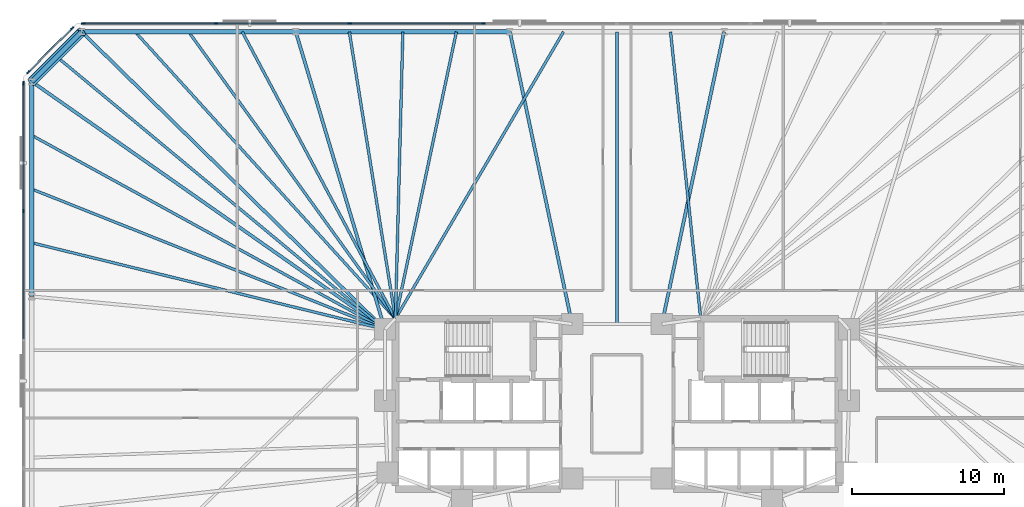
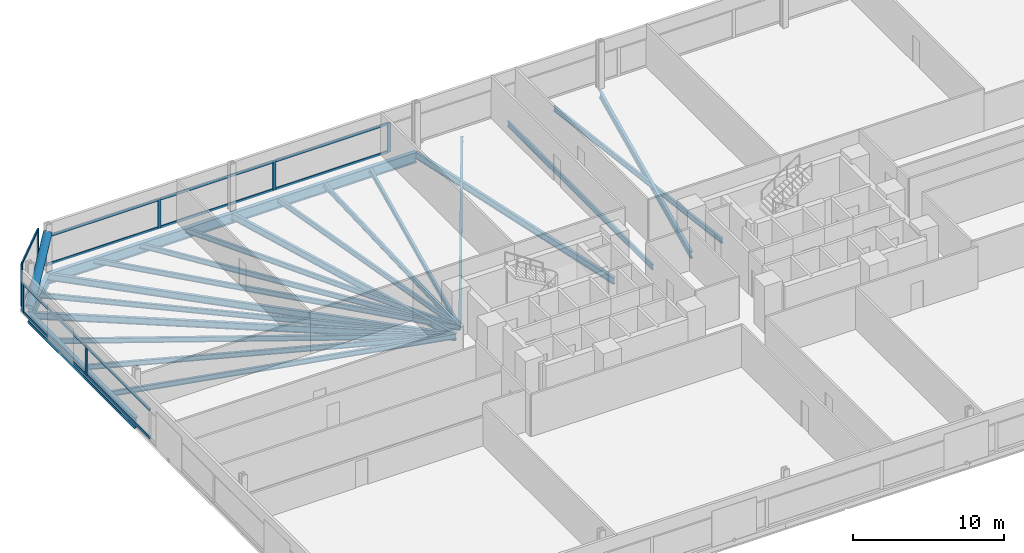
# One storey, part 8 of 17: 22 beams, 21 members, 3 elements without a shape of their own.
"""IFC4 building model written with IfcOpenShell, lengths in metres."""

from ifc_helpers import new_model, si_unit, direction, frame, origin, origin_2d, place, context, subcontext, project, spatial, rectangle, hollow_circle, i_section, extrude, material, material_profile, profile_set, type_object, element, aggregate, save


model = new_model("IFC4")

# Units and contexts
model_context = context("Model", 3, precision=1e-05, world=origin(), true_north=direction((0.0, 1.0)))
body_context = subcontext(model_context, "Body", "Model", "MODEL_VIEW")
ifc_project = project(units=[si_unit("LENGTHUNIT", "METRE"), si_unit("AREAUNIT", "SQUARE_METRE"), si_unit("VOLUMEUNIT", "CUBIC_METRE"), si_unit("PLANEANGLEUNIT", "RADIAN"), si_unit("MASSUNIT", "GRAM", prefix="KILO")], contexts=[model_context])

# Site, building, storey
site_placement = place(None, origin())
site = spatial("IfcSite", under=ifc_project, at=site_placement, CompositionType="ELEMENT")
building_placement = place(site_placement, origin())
building = spatial("IfcBuilding", under=site, at=building_placement, Name="Menara Jurai Vektor", CompositionType="ELEMENT")
storey_placement = place(building_placement, frame((0.0, 0.0, 75.0)))
storey = spatial("IfcBuildingStorey", under=building, at=storey_placement, Name="L18", CompositionType="ELEMENT", Elevation=75.0)

# Curtain wall, members
ifc_material_1 = material(Name="Anodised Pale Aluminium & Low-E Double Glazing", Category="aluminium")
curtain_wall_type = type_object("IfcCurtainWallType", Name="CW-BLK1", PredefinedType="NOTDEFINED", material=ifc_material_1)
curtain_wall_1_placement = place(storey_placement, origin())
curtain_wall_1 = element("IfcCurtainWall", 1, at=curtain_wall_1_placement, inside=storey, type_object=curtain_wall_type, Name="Unitised Curtain Wall L18 F05", PredefinedType="NOTDEFINED")
ifc_material_2 = material(Name="Anodised Pale Aluminium Mullion", Category="aluminium")
ifc_material_profile_1 = material_profile(ifc_material_2, rectangle(XDim=0.094970703125, YDim=0.239990234375, at=origin_2d()), Name="ALU MUL 95x240")
ifc_profile_set_1 = profile_set([ifc_material_profile_1], Name="Anodised Pale Aluminium Mullion")
member_type_1 = type_object("IfcMemberType", Name="CW-BLK1-MUL", PredefinedType="MULLION", material=ifc_profile_set_1)
member_1_placement = place(storey_placement, frame((-8.780029296875, 25.0, 0.0), z_axis=(0.0, 0.0, 1.0), x_axis=(0.0, -1.0, 0.0)))
member_1 = element("IfcMember", 2, at=member_1_placement, type_object=member_type_1, Name="CW-01 mullion 6", PredefinedType="MULLION", context=body_context, shape_type="SweptSolid", body=[
    extrude(rectangle(XDim=0.094970703125, YDim=0.239990234375, at=origin_2d()), origin(), (0.0, 0.0, 1.0), 2.35888671875),
])
member_2_placement = place(storey_placement, frame((-17.56005859375, 25.0, 0.0), z_axis=(0.0, 0.0, 1.0), x_axis=(0.0, -1.0, 0.0)))
member_2 = element("IfcMember", 3, at=member_2_placement, type_object=member_type_1, Name="CW-01 mullion 7", PredefinedType="MULLION", context=body_context, shape_type="SweptSolid", body=[
    extrude(rectangle(XDim=0.094970703125, YDim=0.239990234375, at=origin_2d()), origin(), (0.0, 0.0, 1.0), 2.35888671875),
])
member_3_placement = place(storey_placement, frame((-26.340087890625, 25.0, 0.0), z_axis=(0.0, 0.0, 1.0), x_axis=(0.0, -1.0, 0.0)))
member_3 = element("IfcMember", 4, at=member_3_placement, type_object=member_type_1, Name="CW-01 mullion 8", PredefinedType="MULLION", context=body_context, shape_type="SweptSolid", body=[
    extrude(rectangle(XDim=0.094970703125, YDim=0.239990234375, at=origin_2d()), origin(), (0.0, 0.0, 1.0), 2.35888671875),
])
member_4_placement = place(storey_placement, frame((-35.072509765625, 25.0, 0.0), z_axis=(0.0, 0.0, 1.0), x_axis=(0.0, -1.0, 0.0)))
member_4 = element("IfcMember", 5, at=member_4_placement, type_object=member_type_1, Name="CW-01 mullion 9", PredefinedType="MULLION", context=body_context, shape_type="SweptSolid", body=[
    extrude(rectangle(XDim=0.094970703125, YDim=0.239990234375, at=origin_2d()), origin(), (0.0, 0.0, 1.0), 2.35888671875),
])

curtain_wall_2_placement = place(storey_placement, origin())
curtain_wall_2 = element("IfcCurtainWall", 6, at=curtain_wall_2_placement, inside=storey, type_object=curtain_wall_type, Name="Unitised Curtain Wall L18 F06", PredefinedType="NOTDEFINED")
member_5_placement = place(storey_placement, frame((-35.80224609375, 24.69775390625, 0.0), z_axis=(0.0, 0.0, 1.0), x_axis=(0.707106781187, -0.707106781187, 0.0)))
member_5 = element("IfcMember", 7, at=member_5_placement, type_object=member_type_1, Name="CW-01 mullion 1", PredefinedType="MULLION", context=body_context, shape_type="SweptSolid", body=[
    extrude(rectangle(XDim=0.094970703125, YDim=0.239990234375, at=origin_2d()), origin(), (0.0, 0.0, 1.0), 3.39501953125),
])
member_6_placement = place(storey_placement, frame((-38.69775390625, 21.80224609375, 0.0), z_axis=(0.0, 0.0, 1.0), x_axis=(0.707106781187, -0.707106781187, 0.0)))
member_6 = element("IfcMember", 8, at=member_6_placement, type_object=member_type_1, Name="CW-01 mullion 2", PredefinedType="MULLION", context=body_context, shape_type="SweptSolid", body=[
    extrude(rectangle(XDim=0.094970703125, YDim=0.239990234375, at=origin_2d()), origin(), (0.0, 0.0, 1.0), 3.39501953125),
])

curtain_wall_3_placement = place(storey_placement, origin())
curtain_wall_3 = element("IfcCurtainWall", 9, at=curtain_wall_3_placement, inside=storey, type_object=curtain_wall_type, Name="Unitised Curtain Wall L18 F07", PredefinedType="NOTDEFINED")
member_7_placement = place(storey_placement, frame((-39.0, 21.072509765625, 0.0), z_axis=(0.0, 0.0, 1.0), x_axis=(1.0, 0.0, 0.0)))
member_7 = element("IfcMember", 10, at=member_7_placement, type_object=member_type_1, Name="CW-01 mullion 1", PredefinedType="MULLION", context=body_context, shape_type="SweptSolid", body=[
    extrude(rectangle(XDim=0.094970703125, YDim=0.239990234375, at=origin_2d()), origin(), (0.0, 0.0, 1.0), 2.35888671875),
])
member_8_placement = place(storey_placement, frame((-39.0, 12.672119140625, 0.0), z_axis=(0.0, 0.0, 1.0), x_axis=(1.0, 0.0, 0.0)))
member_8 = element("IfcMember", 11, at=member_8_placement, type_object=member_type_1, Name="CW-01 mullion 2", PredefinedType="MULLION", context=body_context, shape_type="SweptSolid", body=[
    extrude(rectangle(XDim=0.094970703125, YDim=0.239990234375, at=origin_2d()), origin(), (0.0, 0.0, 1.0), 2.35888671875),
])

# Member
ifc_material_3 = material(Name="Anodised Pale Aluminium Transom", Category="aluminium")
ifc_material_profile_2 = material_profile(ifc_material_3, rectangle(XDim=0.094970703125, YDim=0.199951171875, at=origin_2d()), Name="ALU TRN 95x200")
ifc_profile_set_2 = profile_set([ifc_material_profile_2], Name="Anodised Pale Aluminium Transom")
member_type_2 = type_object("IfcMemberType", Name="CW-BLK1-TRN", PredefinedType="USERDEFINED", material=ifc_profile_set_2)
member_9_placement = place(storey_placement, frame((-8.827392578125, 25.0, 0.047607421875), z_axis=(-1.0, 0.0, 0.0), x_axis=(0.0, -1.0, 0.0)))
member_9 = element("IfcMember", 12, at=member_9_placement, type_object=member_type_2, Name="CW-01 transom 6.1", ObjectType="TRANSOM", PredefinedType="USERDEFINED", context=body_context, shape_type="SweptSolid", body=[
    extrude(rectangle(XDim=0.094970703125, YDim=0.199951171875, at=origin_2d()), origin(), (0.0, 0.0, 1.0), 8.68505859375),
])

member_10_placement = place(storey_placement, frame((-8.827392578125, 25.0, 2.3115234375), z_axis=(-1.0, 0.0, 0.0), x_axis=(0.0, -1.0, 0.0)))
member_10 = element("IfcMember", 13, at=member_10_placement, type_object=member_type_2, Name="CW-01 transom 6.2", ObjectType="TRANSOM", PredefinedType="USERDEFINED", context=body_context, shape_type="SweptSolid", body=[
    extrude(rectangle(XDim=0.094970703125, YDim=0.199951171875, at=origin_2d()), origin(), (0.0, 0.0, 1.0), 8.68505859375),
])

member_11_placement = place(storey_placement, frame((-17.607421875, 25.0, 0.047607421875), z_axis=(-1.0, 0.0, 0.0), x_axis=(0.0, -1.0, 0.0)))
member_11 = element("IfcMember", 14, at=member_11_placement, type_object=member_type_2, Name="CW-01 transom 7.1", ObjectType="TRANSOM", PredefinedType="USERDEFINED", context=body_context, shape_type="SweptSolid", body=[
    extrude(rectangle(XDim=0.094970703125, YDim=0.199951171875, at=origin_2d()), origin(), (0.0, 0.0, 1.0), 8.68505859375),
])

member_12_placement = place(storey_placement, frame((-17.607421875, 25.0, 2.3115234375), z_axis=(-1.0, 0.0, 0.0), x_axis=(0.0, -1.0, 0.0)))
member_12 = element("IfcMember", 15, at=member_12_placement, type_object=member_type_2, Name="CW-01 transom 7.2", ObjectType="TRANSOM", PredefinedType="USERDEFINED", context=body_context, shape_type="SweptSolid", body=[
    extrude(rectangle(XDim=0.094970703125, YDim=0.199951171875, at=origin_2d()), origin(), (0.0, 0.0, 1.0), 8.68505859375),
])

member_13_placement = place(storey_placement, frame((-26.387451171875, 25.0, 0.047607421875), z_axis=(-1.0, 0.0, 0.0), x_axis=(0.0, -1.0, 0.0)))
member_13 = element("IfcMember", 16, at=member_13_placement, type_object=member_type_2, Name="CW-01 transom 8.1", ObjectType="TRANSOM", PredefinedType="USERDEFINED", context=body_context, shape_type="SweptSolid", body=[
    extrude(rectangle(XDim=0.094970703125, YDim=0.199951171875, at=origin_2d()), origin(), (0.0, 0.0, 1.0), 8.637451171875),
])

member_14_placement = place(storey_placement, frame((-26.387451171875, 25.0, 2.3115234375), z_axis=(-1.0, 0.0, 0.0), x_axis=(0.0, -1.0, 0.0)))
member_14 = element("IfcMember", 17, at=member_14_placement, type_object=member_type_2, Name="CW-01 transom 8.2", ObjectType="TRANSOM", PredefinedType="USERDEFINED", context=body_context, shape_type="SweptSolid", body=[
    extrude(rectangle(XDim=0.094970703125, YDim=0.199951171875, at=origin_2d()), origin(), (0.0, 0.0, 1.0), 8.637451171875),
])

aggregate(curtain_wall_1, [member_1, member_2, member_3, member_4, member_9, member_10, member_11, member_12, member_13, member_14])

member_15_placement = place(storey_placement, frame((-35.8359375, 24.6640625, 0.047607421875), z_axis=(-0.707106781187, -0.707106781187, 0.0), x_axis=(0.707106781187, -0.707106781187, 0.0)))
member_15 = element("IfcMember", 18, at=member_15_placement, type_object=member_type_2, Name="CW-01 transom 1.1", ObjectType="TRANSOM", PredefinedType="USERDEFINED", context=body_context, shape_type="SweptSolid", body=[
    extrude(rectangle(XDim=0.094970703125, YDim=0.199951171875, at=origin_2d()), origin(), (0.0, 0.0, 1.0), 3.99951171875),
])

member_16_placement = place(storey_placement, frame((-35.8359375, 24.6640625, 3.347412109375), z_axis=(-0.707106781187, -0.707106781187, 0.0), x_axis=(0.707106781187, -0.707106781187, 0.0)))
member_16 = element("IfcMember", 19, at=member_16_placement, type_object=member_type_2, Name="CW-01 transom 1.2", ObjectType="TRANSOM", PredefinedType="USERDEFINED", context=body_context, shape_type="SweptSolid", body=[
    extrude(rectangle(XDim=0.094970703125, YDim=0.199951171875, at=origin_2d()), origin(), (0.0, 0.0, 1.0), 3.99951171875),
])

aggregate(curtain_wall_2, [member_5, member_6, member_15, member_16])

member_17_placement = place(storey_placement, frame((-39.0, 21.02490234375, 0.047607421875), z_axis=(0.0, -1.0, 0.0), x_axis=(1.0, 0.0, 0.0)))
member_17 = element("IfcMember", 20, at=member_17_placement, type_object=member_type_2, Name="CW-01 transom 1.1", ObjectType="TRANSOM", PredefinedType="USERDEFINED", context=body_context, shape_type="SweptSolid", body=[
    extrude(rectangle(XDim=0.094970703125, YDim=0.199951171875, at=origin_2d()), origin(), (0.0, 0.0, 1.0), 8.305419921875),
])

member_18_placement = place(storey_placement, frame((-39.0, 21.02490234375, 2.3115234375), z_axis=(0.0, -1.0, 0.0), x_axis=(1.0, 0.0, 0.0)))
member_18 = element("IfcMember", 21, at=member_18_placement, type_object=member_type_2, Name="CW-01 transom 1.2", ObjectType="TRANSOM", PredefinedType="USERDEFINED", context=body_context, shape_type="SweptSolid", body=[
    extrude(rectangle(XDim=0.094970703125, YDim=0.199951171875, at=origin_2d()), origin(), (0.0, 0.0, 1.0), 8.305419921875),
])

member_19_placement = place(storey_placement, frame((-39.0, 12.62451171875, 0.047607421875), z_axis=(0.0, -1.0, 0.0), x_axis=(1.0, 0.0, 0.0)))
member_19 = element("IfcMember", 22, at=member_19_placement, type_object=member_type_2, Name="CW-01 transom 2.1", ObjectType="TRANSOM", PredefinedType="USERDEFINED", context=body_context, shape_type="SweptSolid", body=[
    extrude(rectangle(XDim=0.094970703125, YDim=0.199951171875, at=origin_2d()), origin(), (0.0, 0.0, 1.0), 8.35302734375),
])

member_20_placement = place(storey_placement, frame((-39.0, 12.62451171875, 2.3115234375), z_axis=(0.0, -1.0, 0.0), x_axis=(1.0, 0.0, 0.0)))
member_20 = element("IfcMember", 23, at=member_20_placement, type_object=member_type_2, Name="CW-01 transom 2.2", ObjectType="TRANSOM", PredefinedType="USERDEFINED", context=body_context, shape_type="SweptSolid", body=[
    extrude(rectangle(XDim=0.094970703125, YDim=0.199951171875, at=origin_2d()), origin(), (0.0, 0.0, 1.0), 8.35302734375),
])

aggregate(curtain_wall_3, [member_7, member_8, member_17, member_18, member_19, member_20])

# Beams
ifc_material_4 = material(Name="Steel S355", Category="steel")
ifc_material_profile_3 = material_profile(ifc_material_4, i_section(OverallWidth=0.2109375, OverallDepth=0.5390625, WebThickness=0.011962890625, FlangeThickness=0.01904296875, FilletRadius=0.012939453125, at=origin_2d()), Name="UKB 533x210x109")
ifc_profile_set_3 = profile_set([ifc_material_profile_3], Name="Steel S355")
beam_type_1 = type_object("IfcBeamType", Name="STR-BM-533", PredefinedType="BEAM", material=ifc_profile_set_3)
for number, where, z_axis, x_axis, name in (
    (24, (7.03564453125, 24.449951171875, -0.494384765625), (-0.2081367579, -0.978099734184, 0.0), (0.978099734184, -0.2081367579, 0.0), "Radial Floor Girder L18-N3"),
    (25, (-7.03564453125, 24.449951171875, -0.494384765625), (0.2081367579, -0.978099734184, 0.0), (0.978099734184, 0.2081367579, 0.0), "Radial Floor Girder L18-N4"),
):
    element("IfcBeam", number, at=place(storey_placement, frame(where, z_axis=z_axis, x_axis=x_axis)), inside=storey, type_object=beam_type_1, Name=name, PredefinedType="BEAM", context=body_context, shape_type="SweptSolid", body=[
        extrude(i_section(OverallWidth=0.2109375, OverallDepth=0.5390625, WebThickness=0.011962890625, FlangeThickness=0.01904296875, FilletRadius=0.012939453125, at=origin_2d()), origin(), (0.0, 0.0, 1.0), 19.6298828125),
    ])
beam_1_placement = place(storey_placement, frame((-21.106689453125, 24.449951171875, -0.494384765625), z_axis=(0.286973617166, -0.957938486047, 0.0), x_axis=(0.957938486047, 0.286973617166, 0.0)))
element("IfcBeam", 26, at=beam_1_placement, inside=storey, type_object=beam_type_1, Name="Radial Floor Girder L18-N5", PredefinedType="BEAM", context=body_context, shape_type="SweptSolid", body=[
    extrude(i_section(OverallWidth=0.2109375, OverallDepth=0.5390625, WebThickness=0.011962890625, FlangeThickness=0.01904296875, FilletRadius=0.012939453125, at=origin_2d()), origin(), (0.0, 0.0, 1.0), 20.408447265625),
])
beam_2_placement = place(storey_placement, frame((-35.177734375, 24.449951171875, -0.494384765625), z_axis=(0.713839032855, -0.700309813706, 0.0), x_axis=(0.700309813706, 0.713839032855, 0.0)))
element("IfcBeam", 27, at=beam_2_placement, inside=storey, type_object=beam_type_1, Name="Radial Floor Girder L18-N6", PredefinedType="BEAM", context=body_context, shape_type="SweptSolid", body=[
    extrude(i_section(OverallWidth=0.2109375, OverallDepth=0.5390625, WebThickness=0.011962890625, FlangeThickness=0.01904296875, FilletRadius=0.012939453125, at=origin_2d()), origin(), (0.0, 0.0, 1.0), 27.916259765625),
])
beam_3_placement = place(storey_placement, frame((-38.449951171875, 21.177734375, -0.494384765625), z_axis=(0.818603732445, -0.574358711283, 0.0), x_axis=(0.574358711283, 0.818603732445, 0.0)))
element("IfcBeam", 28, at=beam_3_placement, inside=storey, type_object=beam_type_1, Name="Radial Floor Girder L18-W1", PredefinedType="BEAM", context=body_context, shape_type="SweptSolid", body=[
    extrude(i_section(OverallWidth=0.2109375, OverallDepth=0.5390625, WebThickness=0.011962890625, FlangeThickness=0.01904296875, FilletRadius=0.012939453125, at=origin_2d()), origin(), (0.0, 0.0, 1.0), 28.3408203125),
])

# Member
ifc_material_5 = material(Name="Steel S460", Category="steel")
ifc_material_profile_4 = material_profile(ifc_material_5, hollow_circle(Radius=0.304931640625, WallThickness=0.02490234375, at=origin_2d()), Name="CHS 610x25")
ifc_profile_set_4 = profile_set([ifc_material_profile_4], Name="Steel S460")
member_type_3 = type_object("IfcMemberType", Name="STR-BR-610", PredefinedType="BRACE", material=ifc_profile_set_4)
member_21_placement = place(storey_placement, frame((-38.449951171875, 21.177734375, 0.14990234375), z_axis=(0.599464538978, 0.599464538978, 0.530362642931), x_axis=(-0.707106781187, 0.707106781187, 0.0)))
element("IfcMember", 29, at=member_21_placement, inside=storey, type_object=member_type_3, Name="Exoskeleton Corner Brace L18-3", PredefinedType="BRACE", context=body_context, shape_type="SweptSolid", body=[
    extrude(hollow_circle(Radius=0.304931640625, WallThickness=0.02490234375, at=origin_2d()), origin(), (0.0, 0.0, 1.0), 5.45849609375),
])

# Beams
ifc_material_profile_5 = material_profile(ifc_material_4, i_section(OverallWidth=0.178955078125, OverallDepth=0.408935546875, WebThickness=0.009033203125, FlangeThickness=0.013916015625, FilletRadius=0.010009765625, at=origin_2d()), Name="UKB 406x178x67")
ifc_profile_set_5 = profile_set([ifc_material_profile_5], Name="Steel S355")
beam_type_2 = type_object("IfcBeamType", Name="STR-JS-406", PredefinedType="JOIST", material=ifc_profile_set_5)
beam_4_placement = place(storey_placement, frame((3.517822265625, 24.449951171875, -0.429443359375), z_axis=(0.104579513969, -0.994516528399, 0.0), x_axis=(0.994516528399, 0.104579513969, 0.0)))
element("IfcBeam", 30, at=beam_4_placement, inside=storey, type_object=beam_type_2, Name="Radial Secondary Floor Joist L18-JS22", PredefinedType="JOIST", context=body_context, shape_type="SweptSolid", body=[
    extrude(i_section(OverallWidth=0.178955078125, OverallDepth=0.408935546875, WebThickness=0.009033203125, FlangeThickness=0.013916015625, FilletRadius=0.010009765625, at=origin_2d()), origin(), (0.0, 0.0, 1.0), 18.953857421875),
])
beam_5_placement = place(storey_placement, frame((0.0, 24.449951171875, -0.429443359375), z_axis=(0.0, -1.0, 0.0), x_axis=(1.0, 0.0, 0.0)))
element("IfcBeam", 31, at=beam_5_placement, inside=storey, type_object=beam_type_2, Name="Radial Secondary Floor Joist L18-JS23", PredefinedType="JOIST", context=body_context, shape_type="SweptSolid", body=[
    extrude(i_section(OverallWidth=0.178955078125, OverallDepth=0.408935546875, WebThickness=0.009033203125, FlangeThickness=0.013916015625, FilletRadius=0.010009765625, at=origin_2d()), origin(), (0.0, 0.0, 1.0), 19.199951171875),
])
beam_6_placement = place(storey_placement, frame((-3.517822265625, 24.449951171875, -0.429443359375), z_axis=(-0.505457909797, -0.862851262631, 0.0), x_axis=(0.862851262631, -0.505457909797, 0.0)))
element("IfcBeam", 32, at=beam_6_placement, inside=storey, type_object=beam_type_2, Name="Radial Secondary Floor Joist L18-JS24", PredefinedType="JOIST", context=body_context, shape_type="SweptSolid", body=[
    extrude(i_section(OverallWidth=0.178955078125, OverallDepth=0.408935546875, WebThickness=0.009033203125, FlangeThickness=0.013916015625, FilletRadius=0.010009765625, at=origin_2d()), origin(), (0.0, 0.0, 1.0), 21.845947265625),
])
beam_7_placement = place(storey_placement, frame((-10.55322265625, 24.449951171875, -0.429443359375), z_axis=(-0.207920423262, -0.978145744555, 0.0), x_axis=(0.978145744555, -0.207920423262, 0.0)))
element("IfcBeam", 33, at=beam_7_placement, inside=storey, type_object=beam_type_2, Name="Radial Secondary Floor Joist L18-JS25", PredefinedType="JOIST", context=body_context, shape_type="SweptSolid", body=[
    extrude(i_section(OverallWidth=0.178955078125, OverallDepth=0.408935546875, WebThickness=0.009033203125, FlangeThickness=0.013916015625, FilletRadius=0.010009765625, at=origin_2d()), origin(), (0.0, 0.0, 1.0), 19.27099609375),
])
beam_8_placement = place(storey_placement, frame((-14.071044921875, 24.449951171875, -0.429443359375), z_axis=(-0.02593384597, -0.999663661255, 0.0), x_axis=(0.999663661255, -0.02593384597, 0.0)))
element("IfcBeam", 34, at=beam_8_placement, inside=storey, type_object=beam_type_2, Name="Radial Secondary Floor Joist L18-JS26", PredefinedType="JOIST", context=body_context, shape_type="SweptSolid", body=[
    extrude(i_section(OverallWidth=0.178955078125, OverallDepth=0.408935546875, WebThickness=0.009033203125, FlangeThickness=0.013916015625, FilletRadius=0.010009765625, at=origin_2d()), origin(), (0.0, 0.0, 1.0), 18.856201171875),
])
beam_9_placement = place(storey_placement, frame((-17.5888671875, 24.449951171875, -0.429443359375), z_axis=(0.158645817656, -0.987335558227, 0.0), x_axis=(0.987335558227, 0.158645817656, 0.0)))
element("IfcBeam", 35, at=beam_9_placement, inside=storey, type_object=beam_type_2, Name="Radial Secondary Floor Joist L18-JS27", PredefinedType="JOIST", context=body_context, shape_type="SweptSolid", body=[
    extrude(i_section(OverallWidth=0.178955078125, OverallDepth=0.408935546875, WebThickness=0.009033203125, FlangeThickness=0.013916015625, FilletRadius=0.010009765625, at=origin_2d()), origin(), (0.0, 0.0, 1.0), 19.091552734375),
])
beam_10_placement = place(storey_placement, frame((-24.62451171875, 24.449951171875, -0.429443359375), z_axis=(0.470996174599, -0.882135252392, 0.0), x_axis=(0.882135252392, 0.470996174599, 0.0)))
element("IfcBeam", 36, at=beam_10_placement, inside=storey, type_object=beam_type_2, Name="Radial Secondary Floor Joist L18-JS28", PredefinedType="JOIST", context=body_context, shape_type="SweptSolid", body=[
    extrude(i_section(OverallWidth=0.178955078125, OverallDepth=0.408935546875, WebThickness=0.009033203125, FlangeThickness=0.013916015625, FilletRadius=0.010009765625, at=origin_2d()), origin(), (0.0, 0.0, 1.0), 21.368408203125),
])
beam_11_placement = place(storey_placement, frame((-28.142333984375, 24.449951171875, -0.429443359375), z_axis=(0.584598948369, -0.811322420229, 0.0), x_axis=(0.811322420229, 0.584598948369, 0.0)))
element("IfcBeam", 37, at=beam_11_placement, inside=storey, type_object=beam_type_2, Name="Radial Secondary Floor Joist L18-JS29", PredefinedType="JOIST", context=body_context, shape_type="SweptSolid", body=[
    extrude(i_section(OverallWidth=0.178955078125, OverallDepth=0.408935546875, WebThickness=0.009033203125, FlangeThickness=0.013916015625, FilletRadius=0.010009765625, at=origin_2d()), origin(), (0.0, 0.0, 1.0), 23.2333984375),
])
beam_12_placement = place(storey_placement, frame((-31.659912109375, 24.449951171875, -0.429443359375), z_axis=(0.671889844346, -0.740651089964, 0.0), x_axis=(0.740651089964, 0.671889844346, 0.0)))
element("IfcBeam", 38, at=beam_12_placement, inside=storey, type_object=beam_type_2, Name="Radial Secondary Floor Joist L18-JS30", PredefinedType="JOIST", context=body_context, shape_type="SweptSolid", body=[
    extrude(i_section(OverallWidth=0.178955078125, OverallDepth=0.408935546875, WebThickness=0.009033203125, FlangeThickness=0.013916015625, FilletRadius=0.010009765625, at=origin_2d()), origin(), (0.0, 0.0, 1.0), 25.450439453125),
])
beam_13_placement = place(storey_placement, frame((-36.81396484375, 22.81396484375, -0.429443359375), z_axis=(0.769201173096, -0.639006694259, 0.0), x_axis=(0.639006694259, 0.769201173096, 0.0)))
element("IfcBeam", 39, at=beam_13_placement, inside=storey, type_object=beam_type_2, Name="Radial Secondary Floor Joist L18-JS31", PredefinedType="JOIST", context=body_context, shape_type="SweptSolid", body=[
    extrude(i_section(OverallWidth=0.178955078125, OverallDepth=0.408935546875, WebThickness=0.009033203125, FlangeThickness=0.013916015625, FilletRadius=0.010009765625, at=origin_2d()), origin(), (0.0, 0.0, 1.0), 28.0341796875),
])
beam_14_placement = place(storey_placement, frame((-38.449951171875, 17.648193359375, -0.429443359375), z_axis=(0.87640219057, -0.481579900291, 0.0), x_axis=(0.481579900291, 0.87640219057, 0.0)))
element("IfcBeam", 40, at=beam_14_placement, inside=storey, type_object=beam_type_2, Name="Radial Secondary Floor Joist L18-JS32", PredefinedType="JOIST", context=body_context, shape_type="SweptSolid", body=[
    extrude(i_section(OverallWidth=0.178955078125, OverallDepth=0.408935546875, WebThickness=0.009033203125, FlangeThickness=0.013916015625, FilletRadius=0.010009765625, at=origin_2d()), origin(), (0.0, 0.0, 1.0), 26.471923828125),
])
beam_15_placement = place(storey_placement, frame((-38.449951171875, 14.118408203125, -0.429443359375), z_axis=(0.929323400723, -0.369266864027, 0.0), x_axis=(0.369266864027, 0.929323400723, 0.0)))
element("IfcBeam", 41, at=beam_15_placement, inside=storey, type_object=beam_type_2, Name="Radial Secondary Floor Joist L18-JS33", PredefinedType="JOIST", context=body_context, shape_type="SweptSolid", body=[
    extrude(i_section(OverallWidth=0.178955078125, OverallDepth=0.408935546875, WebThickness=0.009033203125, FlangeThickness=0.013916015625, FilletRadius=0.010009765625, at=origin_2d()), origin(), (0.0, 0.0, 1.0), 24.96435546875),
])
beam_16_placement = place(storey_placement, frame((-38.449951171875, 10.5888671875, -0.429443359375), z_axis=(0.971226234641, -0.238158772976, 0.0), x_axis=(0.238158772976, 0.971226234641, 0.0)))
element("IfcBeam", 42, at=beam_16_placement, inside=storey, type_object=beam_type_2, Name="Radial Secondary Floor Joist L18-JS34", PredefinedType="JOIST", context=body_context, shape_type="SweptSolid", body=[
    extrude(i_section(OverallWidth=0.178955078125, OverallDepth=0.408935546875, WebThickness=0.009033203125, FlangeThickness=0.013916015625, FilletRadius=0.010009765625, at=origin_2d()), origin(), (0.0, 0.0, 1.0), 23.88720703125),
])
ifc_material_profile_6 = material_profile(ifc_material_5, i_section(OverallWidth=0.2939453125, OverallDepth=0.85107421875, WebThickness=0.01611328125, FlangeThickness=0.027099609375, FilletRadius=0.01806640625, at=origin_2d()), Name="UKB 838x292x226")
ifc_profile_set_6 = profile_set([ifc_material_profile_6], Name="Steel S460")
beam_type_3 = type_object("IfcBeamType", Name="STR-SP-838", PredefinedType="SPANDREL", material=ifc_profile_set_6)
for number, where, z_axis, x_axis, name in (
    (43, (-7.03564453125, 24.449951171875, -0.650390625), (-1.0, 0.0, 0.0), (0.0, -1.0, 0.0), "Exoskeleton Spandrel Beam L18-14"),
    (44, (-21.106689453125, 24.449951171875, -0.650390625), (-1.0, 0.0, 0.0), (0.0, -1.0, 0.0), "Exoskeleton Spandrel Beam L18-15"),
):
    element("IfcBeam", number, at=place(storey_placement, frame(where, z_axis=z_axis, x_axis=x_axis)), inside=storey, type_object=beam_type_3, Name=name, PredefinedType="SPANDREL", context=body_context, shape_type="SweptSolid", body=[
        extrude(i_section(OverallWidth=0.2939453125, OverallDepth=0.85107421875, WebThickness=0.01611328125, FlangeThickness=0.027099609375, FilletRadius=0.01806640625, at=origin_2d()), origin(), (0.0, 0.0, 1.0), 14.071044921875),
    ])
beam_17_placement = place(storey_placement, frame((-35.177734375, 24.449951171875, -0.650390625), z_axis=(-0.707106781187, -0.707106781187, 0.0), x_axis=(0.707106781187, -0.707106781187, 0.0)))
element("IfcBeam", 45, at=beam_17_placement, inside=storey, type_object=beam_type_3, Name="Exoskeleton Spandrel Beam L18-16", PredefinedType="SPANDREL", context=body_context, shape_type="SweptSolid", body=[
    extrude(i_section(OverallWidth=0.2939453125, OverallDepth=0.85107421875, WebThickness=0.01611328125, FlangeThickness=0.027099609375, FilletRadius=0.01806640625, at=origin_2d()), origin(), (0.0, 0.0, 1.0), 4.627685546875),
])
beam_18_placement = place(storey_placement, frame((-38.449951171875, 21.177734375, -0.650390625), z_axis=(0.0, -1.0, 0.0), x_axis=(1.0, 0.0, 0.0)))
element("IfcBeam", 46, at=beam_18_placement, inside=storey, type_object=beam_type_3, Name="Exoskeleton Spandrel Beam L18-17", PredefinedType="SPANDREL", context=body_context, shape_type="SweptSolid", body=[
    extrude(i_section(OverallWidth=0.2939453125, OverallDepth=0.85107421875, WebThickness=0.01611328125, FlangeThickness=0.027099609375, FilletRadius=0.01806640625, at=origin_2d()), origin(), (0.0, 0.0, 1.0), 14.118408203125),
])

save(model, "model.ifc")
